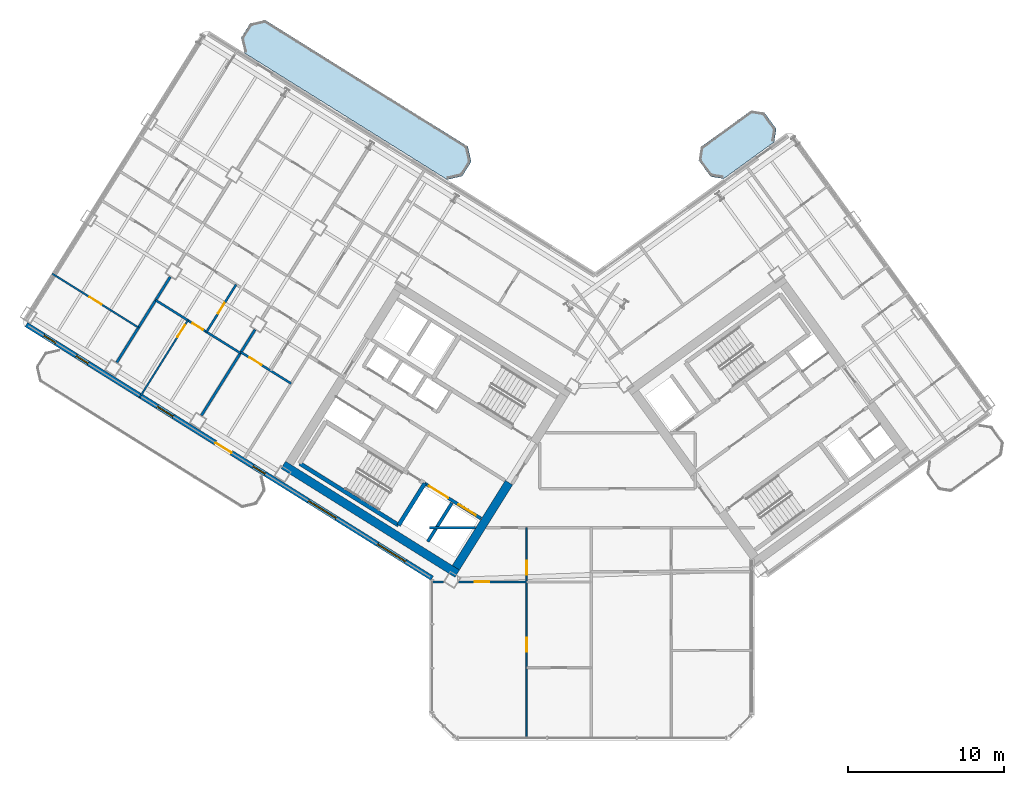
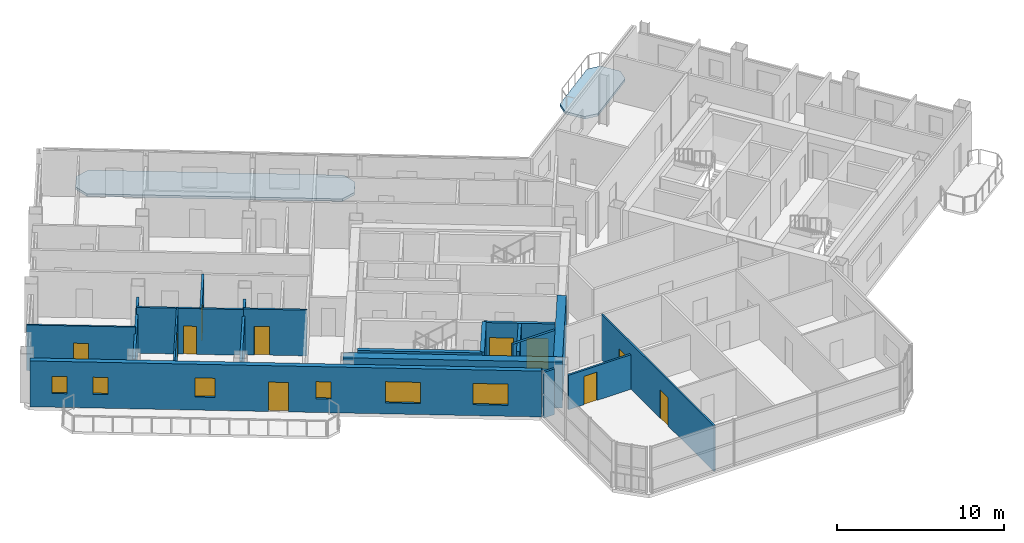
# One storey, part 11 of 21: 18 walls, 11 doors, 6 windows, 2 slabs, 17 openings.
"""IFC4 building model written with IfcOpenShell, lengths in metres."""

from ifc_helpers import new_model, si_unit, direction, frame, frame_2d, origin, place, context, subcontext, project, spatial, polyline, rectangle, outline, extrude, source, transform, mapped, material, layer, layer_set, type_object, element, fill, save


model = new_model("IFC4")

# Units and contexts
model_context = context("Model", 3, precision=1e-05, world=origin(), true_north=direction((0.0, 1.0)))
body_context = subcontext(model_context, "Body", "Model", "MODEL_VIEW")
ifc_project = project(units=[si_unit("LENGTHUNIT", "METRE"), si_unit("AREAUNIT", "SQUARE_METRE"), si_unit("VOLUMEUNIT", "CUBIC_METRE"), si_unit("PLANEANGLEUNIT", "RADIAN"), si_unit("MASSUNIT", "GRAM", prefix="KILO")], contexts=[model_context])

# Site, building, storey
site_placement = place(None, origin())
site = spatial("IfcSite", under=ifc_project, at=site_placement, CompositionType="ELEMENT")
building_placement = place(site_placement, origin())
building = spatial("IfcBuilding", under=site, at=building_placement, Name="Tlacorven Tower", CompositionType="ELEMENT")
storey_placement = place(building_placement, frame((0.0, 0.0, 184.199951171875)))
storey = spatial("IfcBuildingStorey", under=building, at=storey_placement, Name="L46", CompositionType="ELEMENT", Elevation=184.199951171875)

# Slabs
ifc_material_1 = material(Name="Precast concrete C45/55", Category="concrete")
ifc_layer_1 = layer(ifc_material_1, 0.179931640625)
ifc_layer_set_1 = layer_set([ifc_layer_1], Name="Precast concrete C45/55")
slab_type = type_object("IfcSlabType", Name="SL-BAL-180", PredefinedType="USERDEFINED", material=ifc_layer_set_1)
slab_1_placement = place(storey_placement, frame((0.0, 0.0, -0.179931640625)))
element("IfcSlab", 1, at=slab_1_placement, inside=storey, type_object=slab_type, Name="L46 West Wing Balcony Ribbon IN", ObjectType="BALCONY SLAB", PredefinedType="USERDEFINED", context=body_context, shape_type="SweptSolid", body=[
    extrude(outline(polyline([(34.0419921875, 39.835693359375), (21.06689453125, 47.943359375), (20.102294921875, 47.720703125), (19.52197265625, 46.7919921875), (19.744873046875, 45.827392578125), (32.719970703125, 37.7197265625), (33.6845703125, 37.9423828125), (34.2646484375, 38.87109375), (34.0419921875, 39.835693359375)])), origin(), (0.0, 0.0, 1.0), 0.179931640625),
])
slab_2_placement = place(storey_placement, frame((0.0, 0.0, -0.179931640625)))
element("IfcSlab", 2, at=slab_2_placement, inside=storey, type_object=slab_type, Name="L46 East Wing Balcony Ribbon IN", ObjectType="BALCONY SLAB", PredefinedType="USERDEFINED", context=body_context, shape_type="SweptSolid", body=[
    extrude(outline(polyline([(50.433837890625, 37.77880859375), (53.669921875, 40.1298828125), (53.802490234375, 40.968017578125), (53.04150390625, 42.015625), (52.203369140625, 42.1484375), (48.96728515625, 39.79736328125), (48.83447265625, 38.959228515625), (49.595703125, 37.91162109375), (50.433837890625, 37.77880859375)])), origin(), (0.0, 0.0, 1.0), 0.179931640625),
])

# Walls
ifc_material_2 = material(Name="Concrete C60/75", Category="concrete")
ifc_layer_2 = layer(ifc_material_2, 0.550048828125)
ifc_layer_set_2 = layer_set([ifc_layer_2], Name="Concrete C60/75")
wall_type_1 = type_object("IfcWallType", Name="WL-COR-550", PredefinedType="SHEAR", material=ifc_layer_set_2)
wall_1_placement = place(storey_placement, frame((33.3662109375, 12.4765625, 0.0), z_axis=(0.0, 0.0, 1.0), x_axis=(-0.848047359947, 0.529920442413, 0.0)))
element("IfcWall", 3, at=wall_1_placement, inside=storey, type_object=wall_type_1, Name="L46 W core shear wall S2", PredefinedType="SHEAR", context=body_context, shape_type="SweptSolid", body=[
    extrude(rectangle(XDim=13.139892578125, YDim=0.550048828125, at=frame_2d((6.56982421875, 0.0))), origin(), (0.0, 0.0, 1.0), 3.35009765625),
])
wall_2_placement = place(storey_placement, frame((36.683349609375, 18.30419921875, 0.0), z_axis=(0.0, 0.0, 1.0), x_axis=(-0.529896466841, -0.848062341122, 0.0)))
element("IfcWall", 4, at=wall_2_placement, inside=storey, type_object=wall_type_1, Name="L46 W core end wall E1.2", PredefinedType="SHEAR", context=body_context, shape_type="SweptSolid", body=[
    extrude(rectangle(XDim=6.4248046875, YDim=0.550048828125, at=frame_2d((3.21240234375, 0.0))), origin(), (0.0, 0.0, 1.0), 3.35009765625),
])
ifc_material_3 = material(Name="Gypsum plasterboard acoustic partition", Category="gypsum")
ifc_layer_3 = layer(ifc_material_3, 0.159912109375)
ifc_layer_set_3 = layer_set([ifc_layer_3], Name="Gypsum plasterboard acoustic partition")
wall_type_2 = type_object("IfcWallType", Name="WL-DEM-160", PredefinedType="PARTITIONING", material=ifc_layer_set_3)
wall_3_placement = place(storey_placement, frame((20.413818359375, 28.102783203125, 0.0), z_axis=(0.0, 0.0, 1.0), x_axis=(-0.529934553702, -0.848038542045, 0.0)))
element("IfcWall", 5, at=wall_3_placement, inside=storey, type_object=wall_type_2, Name="L46 WN Demising Wall 1", PredefinedType="PARTITIONING", context=body_context, shape_type="SweptSolid", body=[
    extrude(rectangle(XDim=6.47607421875, YDim=0.159912109375, at=frame_2d((3.238037109375, 0.0))), origin(), (0.0, 0.0, 1.0), 2.824951171875),
])
wall_4_placement = place(storey_placement, frame((14.986083984375, 31.494140625, 0.0), z_axis=(0.0, 0.0, 1.0), x_axis=(-0.529907440938, -0.848055484057, 0.0)))
element("IfcWall", 6, at=wall_4_placement, inside=storey, type_object=wall_type_2, Name="L46 WN Demising Wall 2", PredefinedType="PARTITIONING", context=body_context, shape_type="SweptSolid", body=[
    extrude(rectangle(XDim=6.475830078125, YDim=0.159912109375, at=frame_2d((3.23779296875, 0.0))), origin(), (0.0, 0.0, 1.0), 2.824951171875),
])
wall_5_placement = place(storey_placement, frame((31.60009765625, 15.419921875, 0.0), z_axis=(0.0, 0.0, 1.0), x_axis=(1.0, 0.0, 0.0)))
element("IfcWall", 7, at=wall_5_placement, inside=storey, type_object=wall_type_2, Name="L46 Knuckle Corridor South Wall", PredefinedType="PARTITIONING", context=body_context, shape_type="SweptSolid", body=[
    extrude(rectangle(XDim=2.925048828125, YDim=0.159912109375, at=frame_2d((1.46240234375, 0.0))), origin(), (0.0, 0.0, 1.0), 3.340087890625),
])

# Wall, openings, door, windows
ifc_layer_4 = layer(ifc_material_1, 0.320068359375)
ifc_layer_set_4 = layer_set([ifc_layer_4], Name="Precast concrete C45/55")
wall_type_3 = type_object("IfcWallType", Name="WL-EXT-320", PredefinedType="STANDARD", material=ifc_layer_set_4)
wall_6_placement = place(storey_placement, frame((31.760009765625, 12.18310546875, 0.0), z_axis=(0.0, 0.0, 1.0), x_axis=(-0.848047074256, 0.529920899612, 0.0)))
wall_6 = element("IfcWall", 8, at=wall_6_placement, inside=storey, type_object=wall_type_3, Name="L46 Masonry-Frame Recessed Facade Wall 1", PredefinedType="STANDARD", context=body_context, shape_type="SweptSolid", body=[
    extrude(rectangle(XDim=30.652099609375, YDim=0.320068359375, at=frame_2d((15.326171875, 0.0))), origin(), (0.0, 0.0, 1.0), 3.35009765625),
])
opening_1_placement = place(wall_6_placement, frame((15.165771484375, 0.0, 0.0)))
opening_1 = element("IfcOpeningElement", 9, at=opening_1_placement, cuts=wall_6, Name="Opening D05", PredefinedType="OPENING", context=body_context, shape_type="SweptSolid", body=[
    extrude(rectangle(XDim=1.199951171875, YDim=2.14990234375, at=frame_2d((0.60009765625, 1.074951171875))), frame((0.0, 0.169921875, 0.0), z_axis=(0.0, -1.0, 0.0), x_axis=(1.0, 0.0, 0.0)), (0.0, 0.0, 1.0), 0.340087890625),
])
opening_2_placement = place(wall_6_placement, frame((2.0146484375, 0.0, 0.800048828125)))
opening_2 = element("IfcOpeningElement", 10, at=opening_2_placement, cuts=wall_6, Name="Opening WN04", PredefinedType="OPENING", context=body_context, shape_type="SweptSolid", body=[
    extrude(rectangle(XDim=2.10009765625, YDim=1.550048828125, at=frame_2d((1.050048828125, 0.77490234375))), frame((0.0, 0.169921875, 0.0), z_axis=(0.0, -1.0, 0.0), x_axis=(1.0, 0.0, 0.0)), (0.0, 0.0, 1.0), 0.340087890625),
])
opening_3_placement = place(wall_6_placement, frame((7.243896484375, 0.0, 0.800048828125)))
opening_3 = element("IfcOpeningElement", 11, at=opening_3_placement, cuts=wall_6, Name="Opening WN04", PredefinedType="OPENING", context=body_context, shape_type="SweptSolid", body=[
    extrude(rectangle(XDim=2.10009765625, YDim=1.550048828125, at=frame_2d((1.050048828125, 0.77490234375))), frame((0.0, 0.169921875, 0.0), z_axis=(0.0, -1.0, 0.0), x_axis=(1.0, 0.0, 0.0)), (0.0, 0.0, 1.0), 0.340087890625),
])
opening_4_placement = place(wall_6_placement, frame((12.623291015625, 0.0, 1.0)))
opening_4 = element("IfcOpeningElement", 12, at=opening_4_placement, cuts=wall_6, Name="Opening WN05", PredefinedType="OPENING", context=body_context, shape_type="SweptSolid", body=[
    extrude(rectangle(XDim=0.89990234375, YDim=1.25, at=frame_2d((0.449951171875, 0.625))), frame((0.0, 0.169921875, 0.0), z_axis=(0.0, -1.0, 0.0), x_axis=(1.0, 0.0, 0.0)), (0.0, 0.0, 1.0), 0.340087890625),
])
opening_5_placement = place(wall_6_placement, frame((19.564697265625, 0.0, 0.949951171875)))
opening_5 = element("IfcOpeningElement", 13, at=opening_5_placement, cuts=wall_6, Name="Opening WN03", PredefinedType="OPENING", context=body_context, shape_type="SweptSolid", body=[
    extrude(rectangle(XDim=1.199951171875, YDim=1.39990234375, at=frame_2d((0.60009765625, 0.699951171875))), frame((0.0, 0.169921875, 0.0), z_axis=(0.0, -1.0, 0.0), x_axis=(1.0, 0.0, 0.0)), (0.0, 0.0, 1.0), 0.340087890625),
])
opening_6_placement = place(wall_6_placement, frame((25.9833984375, 0.0, 1.0)))
opening_6 = element("IfcOpeningElement", 14, at=opening_6_placement, cuts=wall_6, Name="Opening WN05", PredefinedType="OPENING", context=body_context, shape_type="SweptSolid", body=[
    extrude(rectangle(XDim=0.89990234375, YDim=1.25, at=frame_2d((0.449951171875, 0.625))), frame((0.0, 0.169921875, 0.0), z_axis=(0.0, -1.0, 0.0), x_axis=(1.0, 0.0, 0.0)), (0.0, 0.0, 1.0), 0.340087890625),
])
opening_7_placement = place(wall_6_placement, frame((28.433349609375, 0.0, 1.0)))
opening_7 = element("IfcOpeningElement", 15, at=opening_7_placement, cuts=wall_6, Name="Opening WN05", PredefinedType="OPENING", context=body_context, shape_type="SweptSolid", body=[
    extrude(rectangle(XDim=0.89990234375, YDim=1.25, at=frame_2d((0.449951171875, 0.625))), frame((0.0, 0.169921875, 0.0), z_axis=(0.0, -1.0, 0.0), x_axis=(1.0, 0.0, 0.0)), (0.0, 0.0, 1.0), 0.340087890625),
])
ifc_material_4 = material(Name="Powder-coated aluminium and timber door", Category="wood")
door_type_1 = type_object("IfcDoorType", Name="DR-EXT-BALC-1200", OperationType="NOTDEFINED", PredefinedType="DOOR", material=ifc_material_4)
shared_shape_1 = source(origin(), body_context, "Body", "SweptSolid", [
    extrude(rectangle(XDim=1.199951171875, YDim=2.14990234375, at=frame_2d((0.60009765625, 1.074951171875))), frame((0.0, 0.02490234375, 0.0), z_axis=(0.0, -1.0, 0.0), x_axis=(1.0, 0.0, 0.0)), (0.0, 0.0, 1.0), 0.050048828125),
])
door_1_placement = place(opening_1_placement, origin())
door_1 = element("IfcDoor", 16, at=door_1_placement, inside=storey, type_object=door_type_1, Name="L46 Outdoor Access Door BAL-L46-W-OUT", OperationType="SINGLE_SWING_LEFT", OverallHeight=2.14990234375, OverallWidth=1.199951171875, PredefinedType="DOOR", context=body_context, shape_type="MappedRepresentation", body=[
    mapped(shared_shape_1, transform((0.0, 0.0, 0.0), scale=1.0)),
])
fill(opening_1, door_1)
ifc_material_5 = material(Name="Dark solar low-E double glazing in anodised aluminium frame", Category="aluminium")
window_type_1 = type_object("IfcWindowType", Name="WN-APT-2100X1750", PartitioningType="SINGLE_PANEL", PredefinedType="WINDOW", material=ifc_material_5)
shared_shape_2 = source(origin(), body_context, "Body", "SweptSolid", [
    extrude(rectangle(XDim=2.10009765625, YDim=1.550048828125, at=frame_2d((1.050048828125, 0.77490234375))), frame((0.0, 0.030029296875, 0.0), z_axis=(0.0, -1.0, 0.0), x_axis=(1.0, 0.0, 0.0)), (0.0, 0.0, 1.0), 0.06005859375),
])
window_1_placement = place(opening_2_placement, origin())
window_1 = element("IfcWindow", 17, at=window_1_placement, inside=storey, type_object=window_type_1, Name="L46 Recessed Masonry-Frame Window L46-01.1", OverallHeight=1.550048828125, OverallWidth=2.10009765625, PartitioningType="SINGLE_PANEL", PredefinedType="WINDOW", context=body_context, shape_type="MappedRepresentation", body=[
    mapped(shared_shape_2, transform((0.0, 0.0, 0.0), scale=1.0)),
])
fill(opening_2, window_1)
window_2_placement = place(opening_3_placement, origin())
window_2 = element("IfcWindow", 18, at=window_2_placement, inside=storey, type_object=window_type_1, Name="L46 Recessed Masonry-Frame Window L46-01.2", OverallHeight=1.550048828125, OverallWidth=2.10009765625, PartitioningType="SINGLE_PANEL", PredefinedType="WINDOW", context=body_context, shape_type="MappedRepresentation", body=[
    mapped(shared_shape_2, transform((0.0, 0.0, 0.0), scale=1.0)),
])
fill(opening_3, window_2)
window_type_2 = type_object("IfcWindowType", Name="WN-APT-1200X1500", PartitioningType="SINGLE_PANEL", PredefinedType="WINDOW", material=ifc_material_5)
shared_shape_3 = source(origin(), body_context, "Body", "SweptSolid", [
    extrude(rectangle(XDim=1.199951171875, YDim=1.39990234375, at=frame_2d((0.60009765625, 0.699951171875))), frame((0.0, 0.030029296875, 0.0), z_axis=(0.0, -1.0, 0.0), x_axis=(1.0, 0.0, 0.0)), (0.0, 0.0, 1.0), 0.06005859375),
])
window_3_placement = place(opening_5_placement, origin())
window_3 = element("IfcWindow", 19, at=window_3_placement, inside=storey, type_object=window_type_2, Name="L46 Recessed Masonry-Frame Window L46-01.4", OverallHeight=1.39990234375, OverallWidth=1.199951171875, PartitioningType="SINGLE_PANEL", PredefinedType="WINDOW", context=body_context, shape_type="MappedRepresentation", body=[
    mapped(shared_shape_3, transform((0.0, 0.0, 0.0), scale=1.0)),
])
fill(opening_5, window_3)
window_type_3 = type_object("IfcWindowType", Name="WN-APT-0900X1350", PartitioningType="SINGLE_PANEL", PredefinedType="WINDOW", material=ifc_material_5)
shared_shape_4 = source(origin(), body_context, "Body", "SweptSolid", [
    extrude(rectangle(XDim=0.89990234375, YDim=1.25, at=frame_2d((0.449951171875, 0.625))), frame((0.0, 0.030029296875, 0.0), z_axis=(0.0, -1.0, 0.0), x_axis=(1.0, 0.0, 0.0)), (0.0, 0.0, 1.0), 0.06005859375),
])
window_4_placement = place(opening_4_placement, origin())
window_4 = element("IfcWindow", 20, at=window_4_placement, inside=storey, type_object=window_type_3, Name="L46 Recessed Masonry-Frame Window L46-01.3", OverallHeight=1.25, OverallWidth=0.89990234375, PartitioningType="SINGLE_PANEL", PredefinedType="WINDOW", context=body_context, shape_type="MappedRepresentation", body=[
    mapped(shared_shape_4, transform((0.0, 0.0, 0.0), scale=1.0)),
])
fill(opening_4, window_4)
window_5_placement = place(opening_6_placement, origin())
window_5 = element("IfcWindow", 21, at=window_5_placement, inside=storey, type_object=window_type_3, Name="L46 Recessed Masonry-Frame Window L46-01.5", OverallHeight=1.25, OverallWidth=0.89990234375, PartitioningType="SINGLE_PANEL", PredefinedType="WINDOW", context=body_context, shape_type="MappedRepresentation", body=[
    mapped(shared_shape_4, transform((0.0, 0.0, 0.0), scale=1.0)),
])
fill(opening_6, window_5)
window_6_placement = place(opening_7_placement, origin())
window_6 = element("IfcWindow", 22, at=window_6_placement, inside=storey, type_object=window_type_3, Name="L46 Recessed Masonry-Frame Window L46-01.6", OverallHeight=1.25, OverallWidth=0.89990234375, PartitioningType="SINGLE_PANEL", PredefinedType="WINDOW", context=body_context, shape_type="MappedRepresentation", body=[
    mapped(shared_shape_4, transform((0.0, 0.0, 0.0), scale=1.0)),
])
fill(opening_7, window_6)

# Wall, opening, door
ifc_material_6 = material(Name="Gypsum plasterboard partition", Category="gypsum")
ifc_layer_5 = layer(ifc_material_6, 0.110107421875)
ifc_layer_set_5 = layer_set([ifc_layer_5], Name="Gypsum plasterboard partition")
wall_type_4 = type_object("IfcWallType", Name="WL-INT-110", PredefinedType="PARTITIONING", material=ifc_layer_set_5)
wall_7_placement = place(storey_placement, frame((16.11181640625, 28.7060546875, 0.0), z_axis=(0.0, 0.0, 1.0), x_axis=(-0.529916267533, -0.848049968695, 0.0)))
wall_7 = element("IfcWall", 23, at=wall_7_placement, inside=storey, type_object=wall_type_4, Name="L46 partition 56", PredefinedType="PARTITIONING", context=body_context, shape_type="SweptSolid", body=[
    extrude(rectangle(XDim=5.840087890625, YDim=0.110107421875, at=frame_2d((2.919921875, 0.0))), origin(), (0.0, 0.0, 1.0), 3.340087890625),
])
opening_8_placement = place(wall_7_placement, frame((0.35009765625, 0.0, 0.0)))
opening_8 = element("IfcOpeningElement", 24, at=opening_8_placement, cuts=wall_7, Name="Opening D12", PredefinedType="OPENING", context=body_context, shape_type="SweptSolid", body=[
    extrude(rectangle(XDim=0.919921875, YDim=2.080078125, at=frame_2d((0.4599609375, 1.0400390625))), frame((0.0, 0.06494140625, 0.0), z_axis=(0.0, -1.0, 0.0), x_axis=(1.0, 0.0, 0.0)), (0.0, 0.0, 1.0), 0.130126953125),
])
door_type_2 = type_object("IfcDoorType", Name="DR-INT-ROOM-0920", OperationType="NOTDEFINED", PredefinedType="DOOR", material=ifc_material_4)
shared_shape_5 = source(origin(), body_context, "Body", "SweptSolid", [
    extrude(rectangle(XDim=0.919921875, YDim=2.080078125, at=frame_2d((0.4599609375, 1.0400390625))), frame((0.0, 0.02490234375, 0.0), z_axis=(0.0, -1.0, 0.0), x_axis=(1.0, 0.0, 0.0)), (0.0, 0.0, 1.0), 0.050048828125),
])
door_2_placement = place(opening_8_placement, origin())
door_2 = element("IfcDoor", 25, at=door_2_placement, inside=storey, type_object=door_type_2, Name="L46 door 025", OperationType="SINGLE_SWING_RIGHT", OverallHeight=2.080078125, OverallWidth=0.919921875, PredefinedType="DOOR", context=body_context, shape_type="MappedRepresentation", body=[
    mapped(shared_shape_5, transform((0.0, 0.0, 0.0), scale=1.0)),
])
fill(opening_8, door_2)

wall_8_placement = place(storey_placement, frame((12.951416015625, 28.237548828125, 0.0), z_axis=(0.0, 0.0, 1.0), x_axis=(-0.848031959833, 0.529945086874, 0.0)))
wall_8 = element("IfcWall", 26, at=wall_8_placement, inside=storey, type_object=wall_type_4, Name="L46 partition 57", PredefinedType="PARTITIONING", context=body_context, shape_type="SweptSolid", body=[
    extrude(rectangle(XDim=6.520263671875, YDim=0.110107421875, at=frame_2d((3.26025390625, 0.0))), origin(), (0.0, 0.0, 1.0), 3.340087890625),
])
opening_9_placement = place(wall_8_placement, frame((2.800048828125, 0.0, 0.0)))
opening_9 = element("IfcOpeningElement", 27, at=opening_9_placement, cuts=wall_8, Name="Opening D12", PredefinedType="OPENING", context=body_context, shape_type="SweptSolid", body=[
    extrude(rectangle(XDim=0.919921875, YDim=2.080078125, at=frame_2d((0.4599609375, 1.0400390625))), frame((0.0, 0.06494140625, 0.0), z_axis=(0.0, -1.0, 0.0), x_axis=(1.0, 0.0, 0.0)), (0.0, 0.0, 1.0), 0.130126953125),
])
door_3_placement = place(opening_9_placement, origin())
door_3 = element("IfcDoor", 28, at=door_3_placement, inside=storey, type_object=door_type_2, Name="L46 door 030", OperationType="SINGLE_SWING_LEFT", OverallHeight=2.080078125, OverallWidth=0.919921875, PredefinedType="DOOR", context=body_context, shape_type="MappedRepresentation", body=[
    mapped(shared_shape_5, transform((0.0, 0.0, 0.0), scale=1.0)),
])
fill(opening_9, door_3)

# Wall, openings, doors
wall_9_placement = place(storey_placement, frame((37.81298828125, 1.9599609375, 0.0), z_axis=(0.0, 0.0, 1.0), x_axis=(0.0, 1.0, 0.0)))
wall_9 = element("IfcWall", 29, at=wall_9_placement, inside=storey, type_object=wall_type_4, Name="L46 partition 78", PredefinedType="PARTITIONING", context=body_context, shape_type="SweptSolid", body=[
    extrude(rectangle(XDim=13.4599609375, YDim=0.110107421875, at=frame_2d((6.72998046875, 0.0))), origin(), (0.0, 0.0, 1.0), 3.340087890625),
])
opening_10_placement = place(wall_9_placement, frame((5.5, 0.0, 0.0)))
opening_10 = element("IfcOpeningElement", 30, at=opening_10_placement, cuts=wall_9, Name="Opening D12", PredefinedType="OPENING", context=body_context, shape_type="SweptSolid", body=[
    extrude(rectangle(XDim=0.919921875, YDim=2.080078125, at=frame_2d((0.4599609375, 1.0400390625))), frame((0.0, 0.06494140625, 0.0), z_axis=(0.0, -1.0, 0.0), x_axis=(1.0, 0.0, 0.0)), (0.0, 0.0, 1.0), 0.130126953125),
])
opening_11_placement = place(wall_9_placement, frame((10.449951171875, 0.0, 0.0)))
opening_11 = element("IfcOpeningElement", 31, at=opening_11_placement, cuts=wall_9, Name="Opening D13", PredefinedType="OPENING", context=body_context, shape_type="SweptSolid", body=[
    extrude(rectangle(XDim=0.8798828125, YDim=2.080078125, at=frame_2d((0.43994140625, 1.0400390625))), frame((0.0, 0.06494140625, 0.0), z_axis=(0.0, -1.0, 0.0), x_axis=(1.0, 0.0, 0.0)), (0.0, 0.0, 1.0), 0.130126953125),
])
door_type_3 = type_object("IfcDoorType", Name="DR-INT-WET-0880", OperationType="NOTDEFINED", PredefinedType="DOOR", material=ifc_material_4)
shared_shape_6 = source(origin(), body_context, "Body", "SweptSolid", [
    extrude(rectangle(XDim=0.8798828125, YDim=2.080078125, at=frame_2d((0.43994140625, 1.0400390625))), frame((0.0, 0.02490234375, 0.0), z_axis=(0.0, -1.0, 0.0), x_axis=(1.0, 0.0, 0.0)), (0.0, 0.0, 1.0), 0.050048828125),
])
door_4_placement = place(opening_11_placement, origin())
door_4 = element("IfcDoor", 32, at=door_4_placement, inside=storey, type_object=door_type_3, Name="L46 door 050", OperationType="SINGLE_SWING_LEFT", OverallHeight=2.080078125, OverallWidth=0.8798828125, PredefinedType="DOOR", context=body_context, shape_type="MappedRepresentation", body=[
    mapped(shared_shape_6, transform((0.0, 0.0, 0.0), scale=1.0)),
])
fill(opening_11, door_4)
door_5_placement = place(opening_10_placement, origin())
door_5 = element("IfcDoor", 33, at=door_5_placement, inside=storey, type_object=door_type_2, Name="L46 door 046", OperationType="SINGLE_SWING_LEFT", OverallHeight=2.080078125, OverallWidth=0.919921875, PredefinedType="DOOR", context=body_context, shape_type="MappedRepresentation", body=[
    mapped(shared_shape_5, transform((0.0, 0.0, 0.0), scale=1.0)),
])
fill(opening_10, door_5)

# Wall, opening, door
ifc_material_7 = material(Name="Moisture-resistant gypsum plumbing wall", Category="gypsum")
ifc_layer_6 = layer(ifc_material_7, 0.139892578125)
ifc_layer_set_6 = layer_set([ifc_layer_6], Name="Moisture-resistant gypsum plumbing wall")
wall_type_5 = type_object("IfcWallType", Name="WL-PLM-140", PredefinedType="PLUMBINGWALL", material=ifc_layer_set_6)
wall_10_placement = place(storey_placement, frame((22.72802734375, 24.654296875, 0.0), z_axis=(0.0, 0.0, 1.0), x_axis=(-0.848059820872, 0.529900500304, 0.0)))
wall_10 = element("IfcWall", 34, at=wall_10_placement, inside=storey, type_object=wall_type_5, Name="L46 partition 51", PredefinedType="PLUMBINGWALL", context=body_context, shape_type="SweptSolid", body=[
    extrude(rectangle(XDim=3.7900390625, YDim=0.139892578125, at=frame_2d((1.89501953125, 0.0))), origin(), (0.0, 0.0, 1.0), 3.340087890625),
])
opening_12_placement = place(wall_10_placement, frame((2.22998046875, 0.0, 0.0)))
opening_12 = element("IfcOpeningElement", 35, at=opening_12_placement, cuts=wall_10, Name="Opening D12", PredefinedType="OPENING", context=body_context, shape_type="SweptSolid", body=[
    extrude(rectangle(XDim=0.919921875, YDim=2.080078125, at=frame_2d((0.4599609375, 1.0400390625))), frame((0.0, 0.080078125, 0.0), z_axis=(0.0, -1.0, 0.0), x_axis=(1.0, 0.0, 0.0)), (0.0, 0.0, 1.0), 0.159912109375),
])
door_6_placement = place(opening_12_placement, origin())
door_6 = element("IfcDoor", 36, at=door_6_placement, inside=storey, type_object=door_type_2, Name="L46 door 023", OperationType="SINGLE_SWING_RIGHT", OverallHeight=2.080078125, OverallWidth=0.919921875, PredefinedType="DOOR", context=body_context, shape_type="MappedRepresentation", body=[
    mapped(shared_shape_5, transform((0.0, 0.0, 0.0), scale=1.0)),
])
fill(opening_12, door_6)

wall_11_placement = place(storey_placement, frame((19.476806640625, 26.603271484375, 0.0), z_axis=(0.0, 0.0, 1.0), x_axis=(-0.848039019877, 0.529933789039, 0.0)))
wall_11 = element("IfcWall", 37, at=wall_11_placement, inside=storey, type_object=wall_type_5, Name="L46 partition 54", PredefinedType="PLUMBINGWALL", context=body_context, shape_type="SweptSolid", body=[
    extrude(rectangle(XDim=6.400146484375, YDim=0.139892578125, at=frame_2d((3.2001953125, 0.0))), origin(), (0.0, 0.0, 1.0), 3.340087890625),
])
opening_13_placement = place(wall_11_placement, frame((2.823974609375, 0.0, 0.0)))
opening_13 = element("IfcOpeningElement", 38, at=opening_13_placement, cuts=wall_11, Name="Opening D22", PredefinedType="OPENING", context=body_context, shape_type="SweptSolid", body=[
    extrude(rectangle(XDim=0.780029296875, YDim=2.050048828125, at=frame_2d((0.39013671875, 1.02490234375))), frame((0.0, 0.080078125, 0.0), z_axis=(0.0, -1.0, 0.0), x_axis=(1.0, 0.0, 0.0)), (0.0, 0.0, 1.0), 0.159912109375),
])
door_type_4 = type_object("IfcDoorType", Name="DR-INT-WET-0780", OperationType="NOTDEFINED", PredefinedType="DOOR", material=ifc_material_4)
shared_shape_7 = source(origin(), body_context, "Body", "SweptSolid", [
    extrude(rectangle(XDim=0.780029296875, YDim=2.050048828125, at=frame_2d((0.39013671875, 1.02490234375))), frame((0.0, 0.02490234375, 0.0), z_axis=(0.0, -1.0, 0.0), x_axis=(1.0, 0.0, 0.0)), (0.0, 0.0, 1.0), 0.050048828125),
])
door_7_placement = place(opening_13_placement, origin())
door_7 = element("IfcDoor", 39, at=door_7_placement, inside=storey, type_object=door_type_4, Name="L46 door 027", OperationType="SINGLE_SWING_RIGHT", OverallHeight=2.050048828125, OverallWidth=0.780029296875, PredefinedType="DOOR", context=body_context, shape_type="MappedRepresentation", body=[
    mapped(shared_shape_7, transform((0.0, 0.0, 0.0), scale=1.0)),
])
fill(opening_13, door_7)

wall_12_placement = place(storey_placement, frame((19.202880859375, 30.995849609375, 0.0), z_axis=(0.0, 0.0, 1.0), x_axis=(-0.529906983049, -0.848055770169, 0.0)))
wall_12 = element("IfcWall", 40, at=wall_12_placement, inside=storey, type_object=wall_type_5, Name="L46 partition 55", PredefinedType="PLUMBINGWALL", context=body_context, shape_type="SweptSolid", body=[
    extrude(rectangle(XDim=3.579833984375, YDim=0.139892578125, at=frame_2d((1.7900390625, 0.0))), origin(), (0.0, 0.0, 1.0), 3.340087890625),
])
opening_14_placement = place(wall_12_placement, frame((1.39990234375, 0.0, 0.0)))
opening_14 = element("IfcOpeningElement", 41, at=opening_14_placement, cuts=wall_12, Name="Opening D22", PredefinedType="OPENING", context=body_context, shape_type="SweptSolid", body=[
    extrude(rectangle(XDim=0.780029296875, YDim=2.050048828125, at=frame_2d((0.39013671875, 1.02490234375))), frame((0.0, 0.080078125, 0.0), z_axis=(0.0, -1.0, 0.0), x_axis=(1.0, 0.0, 0.0)), (0.0, 0.0, 1.0), 0.159912109375),
])
door_8_placement = place(opening_14_placement, origin())
door_8 = element("IfcDoor", 42, at=door_8_placement, inside=storey, type_object=door_type_4, Name="L46 door 028", OperationType="SINGLE_SWING_LEFT", OverallHeight=2.050048828125, OverallWidth=0.780029296875, PredefinedType="DOOR", context=body_context, shape_type="MappedRepresentation", body=[
    mapped(shared_shape_7, transform((0.0, 0.0, 0.0), scale=1.0)),
])
fill(opening_14, door_8)

# Wall
wall_13_placement = place(storey_placement, frame((31.739990234375, 11.949951171875, 0.0), z_axis=(0.0, 0.0, 1.0), x_axis=(1.0, 0.0, 0.0)))
element("IfcWall", 43, at=wall_13_placement, inside=storey, type_object=wall_type_5, Name="L46 partition 79", PredefinedType="PLUMBINGWALL", context=body_context, shape_type="SweptSolid", body=[
    extrude(rectangle(XDim=0.747802734375, YDim=0.139892578125, at=frame_2d((0.3740234375, 0.0))), origin(), (0.0, 0.0, 1.0), 3.340087890625),
])

# Wall, opening, door
wall_14_placement = place(storey_placement, frame((33.446533203125, 11.949951171875, 0.0), z_axis=(0.0, 0.0, 1.0), x_axis=(1.0, 0.0, 0.0)))
wall_14 = element("IfcWall", 44, at=wall_14_placement, inside=storey, type_object=wall_type_5, Name="L46 partition 79", PredefinedType="PLUMBINGWALL", context=body_context, shape_type="SweptSolid", body=[
    extrude(rectangle(XDim=4.366455078125, YDim=0.139892578125, at=frame_2d((2.18310546875, 0.0))), origin(), (0.0, 0.0, 1.0), 2.525146484375),
])
opening_15_placement = place(wall_14_placement, frame((1.050048828125, 0.0, 0.0)))
opening_15 = element("IfcOpeningElement", 45, at=opening_15_placement, cuts=wall_14, Name="Opening D12", PredefinedType="OPENING", context=body_context, shape_type="SweptSolid", body=[
    extrude(rectangle(XDim=0.919921875, YDim=2.080078125, at=frame_2d((0.4599609375, 1.0400390625))), frame((0.0, 0.080078125, 0.0), z_axis=(0.0, -1.0, 0.0), x_axis=(1.0, 0.0, 0.0)), (0.0, 0.0, 1.0), 0.159912109375),
])
door_9_placement = place(opening_15_placement, frame((0.919921875, 0.0, 0.0), z_axis=(0.0, 0.0, 1.0), x_axis=(-1.0, 0.0, 0.0)))
door_9 = element("IfcDoor", 46, at=door_9_placement, inside=storey, type_object=door_type_2, Name="L46 door 049", OperationType="SINGLE_SWING_RIGHT", OverallHeight=2.080078125, OverallWidth=0.919921875, PredefinedType="DOOR", context=body_context, shape_type="MappedRepresentation", body=[
    mapped(shared_shape_5, transform((0.0, 0.0, 0.0), scale=1.0)),
])
fill(opening_15, door_9)

# Wall, openings, doors
ifc_material_8 = material(Name="Concrete C40/50", Category="concrete")
ifc_layer_7 = layer(ifc_material_8, 0.199951171875)
ifc_layer_set_7 = layer_set([ifc_layer_7], Name="Concrete C40/50")
wall_type_6 = type_object("IfcWallType", Name="WL-SHF-200", PredefinedType="STANDARD", material=ifc_layer_set_7)
wall_15_placement = place(storey_placement, frame((34.890625, 16.0048828125, 0.0), z_axis=(0.0, 0.0, 1.0), x_axis=(-0.848062873452, 0.529895614884, 0.0)))
wall_15 = element("IfcWall", 47, at=wall_15_placement, inside=storey, type_object=wall_type_6, Name="L46 Core W Firefighting Lift Shaft Front Wall", PredefinedType="STANDARD", context=body_context, shape_type="SweptSolid", body=[
    extrude(rectangle(XDim=4.248046875, YDim=0.199951171875, at=frame_2d((2.1240234375, 0.0))), origin(), (0.0, 0.0, 1.0), 3.340087890625),
])
opening_16_placement = place(wall_15_placement, frame((0.39794921875, 0.0, 0.0)))
opening_16 = element("IfcOpeningElement", 48, at=opening_16_placement, cuts=wall_15, Name="Opening LD03", PredefinedType="OPENING", context=body_context, shape_type="SweptSolid", body=[
    extrude(rectangle(XDim=1.300048828125, YDim=2.199951171875, at=frame_2d((0.64990234375, 1.10009765625))), frame((0.0, 0.10986328125, 0.0), z_axis=(0.0, -1.0, 0.0), x_axis=(1.0, 0.0, 0.0)), (0.0, 0.0, 1.0), 0.219970703125),
])
opening_17_placement = place(wall_15_placement, frame((2.472900390625, 0.0, 0.0)))
opening_17 = element("IfcOpeningElement", 49, at=opening_17_placement, cuts=wall_15, Name="Opening LD04", PredefinedType="OPENING", context=body_context, shape_type="SweptSolid", body=[
    extrude(rectangle(XDim=1.449951171875, YDim=2.25, at=frame_2d((0.72509765625, 1.125))), frame((0.0, 0.10986328125, 0.0), z_axis=(0.0, -1.0, 0.0), x_axis=(1.0, 0.0, 0.0)), (0.0, 0.0, 1.0), 0.219970703125),
])
ifc_material_9 = material(Name="Fire-rated steel door assembly", Category="steel")
door_type_5 = type_object("IfcDoorType", Name="DR-LFT-SLID-1300", OperationType="DOUBLE_DOOR_SLIDING", PredefinedType="DOOR", material=ifc_material_9)
shared_shape_8 = source(origin(), body_context, "Body", "SweptSolid", [
    extrude(rectangle(XDim=1.300048828125, YDim=2.199951171875, at=frame_2d((0.64990234375, 1.10009765625))), frame((0.0, 0.02490234375, 0.0), z_axis=(0.0, -1.0, 0.0), x_axis=(1.0, 0.0, 0.0)), (0.0, 0.0, 1.0), 0.050048828125),
])
door_10_placement = place(opening_16_placement, origin())
door_10 = element("IfcDoor", 50, at=door_10_placement, inside=storey, type_object=door_type_5, Name="L46 Lift FFL-W1 Sliding Landing Door", OperationType="DOUBLE_DOOR_SLIDING", OverallHeight=2.199951171875, OverallWidth=1.300048828125, PredefinedType="DOOR", context=body_context, shape_type="MappedRepresentation", body=[
    mapped(shared_shape_8, transform((0.0, 0.0, 0.0), scale=1.0)),
])
fill(opening_16, door_10)
door_type_6 = type_object("IfcDoorType", Name="DR-LFT-SLID-1450", OperationType="DOUBLE_DOOR_SLIDING", PredefinedType="DOOR", material=ifc_material_9)
shared_shape_9 = source(origin(), body_context, "Body", "SweptSolid", [
    extrude(rectangle(XDim=1.449951171875, YDim=2.25, at=frame_2d((0.72509765625, 1.125))), frame((0.0, 0.02490234375, 0.0), z_axis=(0.0, -1.0, 0.0), x_axis=(1.0, 0.0, 0.0)), (0.0, 0.0, 1.0), 0.050048828125),
])
door_11_placement = place(opening_17_placement, origin())
door_11 = element("IfcDoor", 51, at=door_11_placement, inside=storey, type_object=door_type_6, Name="L46 Lift SVL-W1 Sliding Landing Door", OperationType="DOUBLE_DOOR_SLIDING", OverallHeight=2.25, OverallWidth=1.449951171875, PredefinedType="DOOR", context=body_context, shape_type="MappedRepresentation", body=[
    mapped(shared_shape_9, transform((0.0, 0.0, 0.0), scale=1.0)),
])
fill(opening_17, door_11)

# Walls
wall_16_placement = place(storey_placement, frame((33.02880859375, 17.003173828125, 0.0), z_axis=(0.0, 0.0, 1.0), x_axis=(-0.529916267533, -0.848049968695, 0.0)))
element("IfcWall", 52, at=wall_16_placement, inside=storey, type_object=wall_type_6, Name="L46 partition 14", PredefinedType="STANDARD", context=body_context, shape_type="SweptSolid", body=[
    extrude(rectangle(XDim=2.919921875, YDim=0.199951171875, at=frame_2d((1.4599609375, 0.0))), origin(), (0.0, 0.0, 1.0), 3.340087890625),
])
ifc_material_10 = material(Name="Concrete C50/60", Category="concrete")
ifc_layer_8 = layer(ifc_material_10, 0.260009765625)
ifc_layer_set_8 = layer_set([ifc_layer_8], Name="Concrete C50/60")
wall_type_7 = type_object("IfcWallType", Name="WL-STW-260", PredefinedType="SHEAR", material=ifc_layer_set_8)
wall_17_placement = place(storey_placement, frame((29.60498046875, 15.581298828125, 0.0), z_axis=(0.0, 0.0, 1.0), x_axis=(-0.848036911448, 0.529937163087, 0.0)))
element("IfcWall", 53, at=wall_17_placement, inside=storey, type_object=wall_type_7, Name="L46 Stair W1 Far Shear Wall", PredefinedType="SHEAR", context=body_context, shape_type="SweptSolid", body=[
    extrude(rectangle(XDim=7.4599609375, YDim=0.260009765625, at=frame_2d((3.72998046875, 0.0))), origin(), (0.0, 0.0, 1.0), 3.35009765625),
])
wall_18_placement = place(storey_placement, frame((31.2880859375, 18.255859375, 0.0), z_axis=(0.0, 0.0, 1.0), x_axis=(-0.529943379326, -0.848033026897, 0.0)))
element("IfcWall", 54, at=wall_18_placement, inside=storey, type_object=wall_type_7, Name="L46 Stair W1 West Shear Wall", PredefinedType="SHEAR", context=body_context, shape_type="SweptSolid", body=[
    extrude(rectangle(XDim=3.159912109375, YDim=0.260009765625, at=frame_2d((1.580078125, 0.0))), origin(), (0.0, 0.0, 1.0), 3.35009765625),
])

save(model, "model.ifc")
